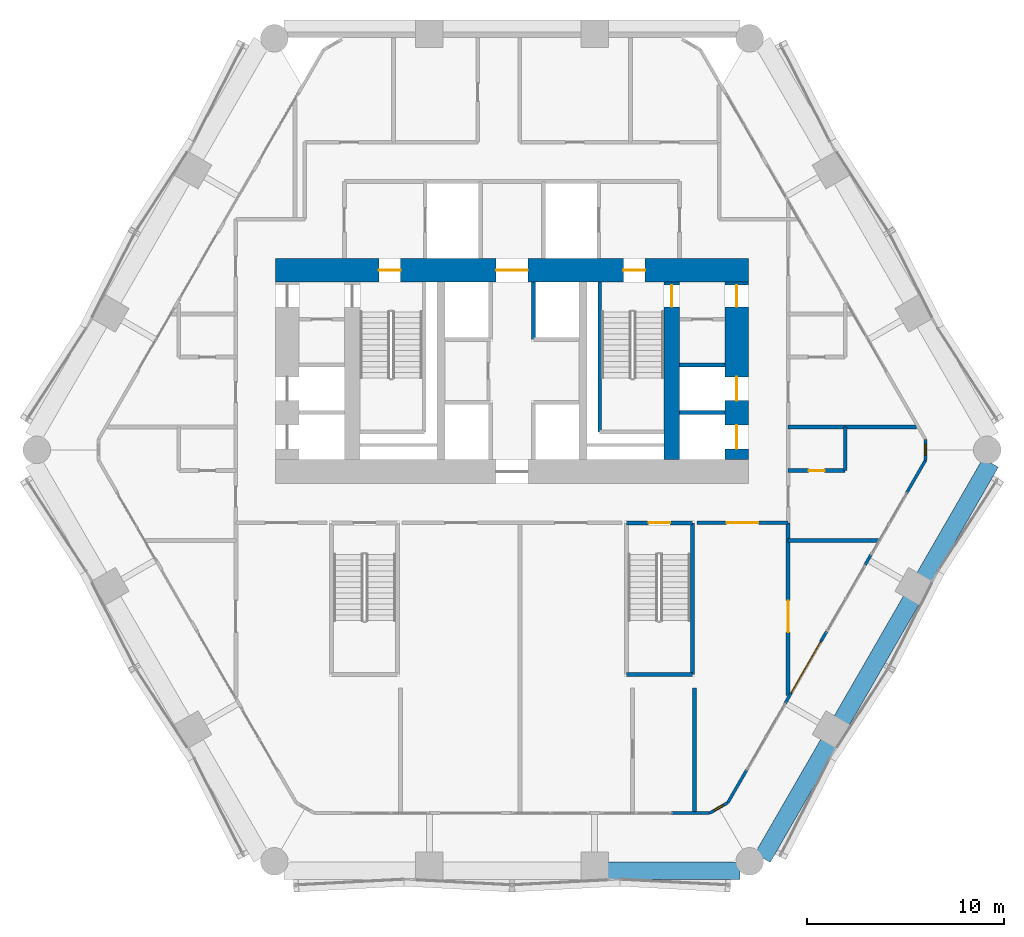
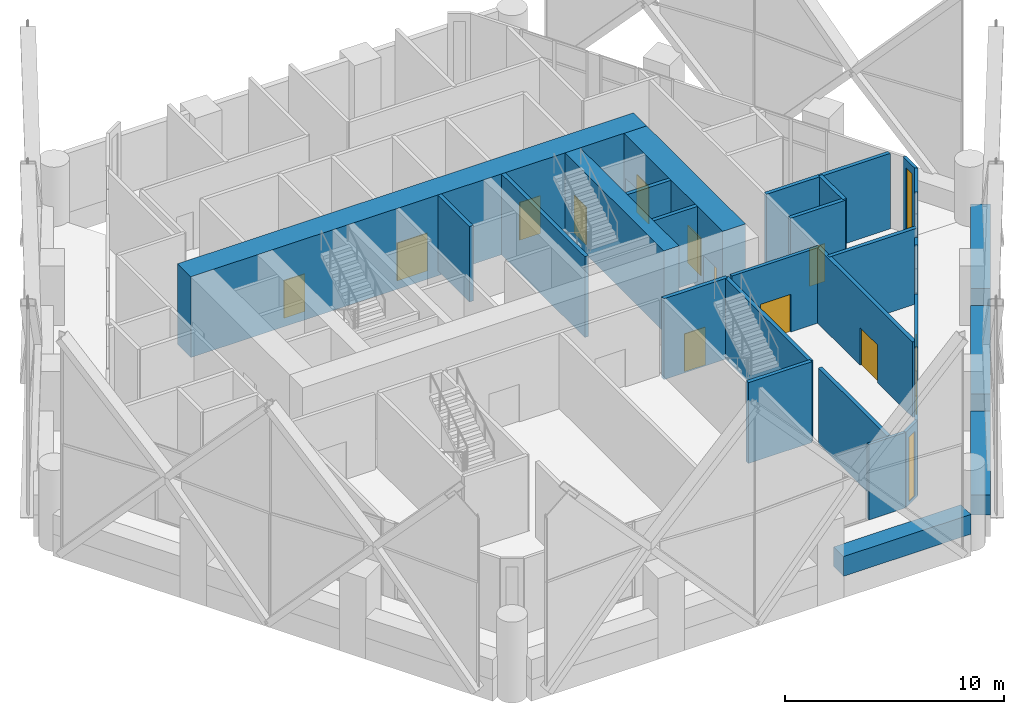
# One storey, part 38 of 46: 28 walls, 12 doors, 2 windows, 14 openings.
"""IFC4 building model written with IfcOpenShell, lengths in metres."""

import ifcopenshell
import ifcopenshell.guid

model = None  # the IFC model being written
_history = None  # IfcOwnerHistory: only IFC2X3 demands one
_inside = {}  # id of a spatial element -> (the spatial element, [elements in it])
_under = {}  # id of a project, library or spatial element -> (it, [spatial elements below it])
_declared = {}  # id of a project -> (the project, [libraries it declares])
_typed = {}  # id of a type object -> (the type object, [elements of that type])
_made_of = {}  # id of a material, layer set ... -> (it, [elements and type objects made of it])


def new_model(schema):
    """Start an empty IFC model of exactly this schema.

    Asked for "IFC4X3", IfcOpenShell would pick the latest addendum, in which some entities
    have other attributes; the version numbers below select the first issue.
    IFC2X3 requires an IfcOwnerHistory on every rooted entity: one is made here for all.
    """
    global model, _history
    if schema == "IFC4X3":
        model = ifcopenshell.file(schema_version=(4, 3, 0, 0))
    else:
        model = ifcopenshell.file(schema=schema)
    _inside.clear()
    _under.clear()
    _declared.clear()
    _typed.clear()
    _made_of.clear()
    _history = None
    if model.schema == "IFC2X3":
        org = make("IfcOrganization", Name="unknown")
        user = make(
            "IfcPersonAndOrganization",
            ThePerson=make("IfcPerson", FamilyName="unknown"),
            TheOrganization=org,
        )
        app = make(
            "IfcApplication",
            ApplicationDeveloper=org,
            Version="unknown",
            ApplicationFullName="unknown",
            ApplicationIdentifier="unknown",
        )
        _history = make(
            "IfcOwnerHistory",
            OwningUser=user,
            OwningApplication=app,
            ChangeAction="ADDED",
            CreationDate=0,
        )
    return model


def make(cls, **values):
    """One entity of the class cls with the attributes given. An attribute that is None is left unset."""
    return model.create_entity(
        cls, **{name: value for name, value in values.items() if value is not None}
    )


def rooted(cls, **values):
    """An entity with a GlobalId (a new one), such as an element, a storey or a relation."""
    return make(cls, GlobalId=ifcopenshell.guid.new(), OwnerHistory=_history, **values)


def si_unit(unit_type, name, prefix=None):
    """IfcSIUnit, for example si_unit("LENGTHUNIT", "METRE", prefix="MILLI")."""
    return make("IfcSIUnit", UnitType=unit_type, Prefix=prefix, Name=name)


def assignment(units):
    """IfcUnitAssignment: the units of a project."""
    return None if units is None else make("IfcUnitAssignment", Units=units)


def point(xyz):
    """IfcCartesianPoint."""
    return None if xyz is None else make("IfcCartesianPoint", Coordinates=xyz)


def direction(xyz):
    """IfcDirection."""
    return None if xyz is None else make("IfcDirection", DirectionRatios=xyz)


def frame(location, z_axis=None, x_axis=None):
    """IfcAxis2Placement3D, a coordinate frame: its origin and axes. An axis left out is left unset."""
    return make(
        "IfcAxis2Placement3D",
        Location=point(location),
        Axis=direction(z_axis),
        RefDirection=direction(x_axis),
    )


def frame_2d(location, x_axis=None):
    """IfcAxis2Placement2D, a coordinate frame in the plane: its origin and x axis."""
    return make(
        "IfcAxis2Placement2D", Location=point(location), RefDirection=direction(x_axis)
    )


def origin():
    """The frame at (0, 0, 0) with its axes left unset."""
    return frame((0.0, 0.0, 0.0))


def place(relative_to, where):
    """IfcLocalPlacement: puts the frame where relative to a parent placement (None: the world)."""
    return make(
        "IfcLocalPlacement", PlacementRelTo=relative_to, RelativePlacement=where
    )


def context(
    kind, dimensions, precision=None, world=None, true_north=None, identifier=None
):
    """IfcGeometricRepresentationContext, for example the 3D "Model" context."""
    return make(
        "IfcGeometricRepresentationContext",
        ContextIdentifier=identifier,
        ContextType=kind,
        CoordinateSpaceDimension=dimensions,
        Precision=precision,
        WorldCoordinateSystem=world,
        TrueNorth=true_north,
    )


def subcontext(parent, identifier, kind, view, scale=None):
    """IfcGeometricRepresentationSubContext, for example "Body" below "Model"."""
    return make(
        "IfcGeometricRepresentationSubContext",
        ContextIdentifier=identifier,
        ContextType=kind,
        ParentContext=parent,
        TargetScale=scale,
        TargetView=view,
    )


def project(units=None, contexts=None):
    """IfcProject with its units and contexts."""
    return rooted(
        "IfcProject",
        Name="project",
        RepresentationContexts=contexts,
        UnitsInContext=assignment(units),
    )


def spatial(cls, under=None, at=None, **own):
    """A site, building, storey or space (cls), placed at a placement, below another one or the project."""
    s = rooted(cls, ObjectPlacement=at, **own)
    if under is not None:
        _under.setdefault(under.id(), (under, []))[1].append(s)
    return s


def profile(cls, at=None, kind="AREA", **sizes):
    """A parametric profile (cls). Its sizes go by their IFC names, for example OverallWidth=200.0."""
    return make(cls, ProfileType=kind, Position=at, **sizes)


def rectangle(**sizes):
    """IfcRectangleProfileDef."""
    return profile("IfcRectangleProfileDef", **sizes)


def extrude(swept, where, along, depth):
    """IfcExtrudedAreaSolid: the profile swept, set in the frame where, extruded along a direction by depth."""
    return make(
        "IfcExtrudedAreaSolid",
        SweptArea=swept,
        Position=where,
        ExtrudedDirection=direction(along),
        Depth=depth,
    )


def shape(context_of_items, identifier, shape_type, items):
    """IfcShapeRepresentation: the items that make up one representation, for example the "Body"."""
    return make(
        "IfcShapeRepresentation",
        ContextOfItems=context_of_items,
        RepresentationIdentifier=identifier,
        RepresentationType=shape_type,
        Items=items,
    )


def material(Name=None, Category=None):
    """IfcMaterial."""
    return make("IfcMaterial", Name=Name, Category=Category)


def layer(
    of_material, thickness, ventilated=None, Name=None, Category=None, Priority=None
):
    """IfcMaterialLayer: one layer of a wall or slab, of a material (None: an air gap)."""
    return make(
        "IfcMaterialLayer",
        Material=of_material,
        LayerThickness=thickness,
        IsVentilated=ventilated,
        Name=Name,
        Category=Category,
        Priority=Priority,
    )


def layer_set(layers, Name=None):
    """IfcMaterialLayerSet."""
    return make("IfcMaterialLayerSet", MaterialLayers=layers, LayerSetName=Name)


def made_of(thing, what):
    """Note that an element or type object is made of a material, layer set ...; save() writes the relation."""
    if what is not None:
        _made_of.setdefault(what.id(), (what, []))[1].append(thing)
    return thing


def type_object(cls, material=None, **own):
    """A type object (cls), such as IfcWallType, which elements share."""
    return made_of(rooted(cls, **own), material)


def element(
    cls,
    number,
    at=None,
    inside=None,
    cuts=None,
    type_object=None,
    material=None,
    context=None,
    identifier="Body",
    shape_type=None,
    held_by="IfcProductDefinitionShape",
    body=None,
    shapes=None,
    **own,
):
    """One element of the class cls, such as IfcWall. Its Tag is "e" and its number.

    at: its placement. inside: the storey or other place that contains it. cuts: it is an
    opening in that element (IfcRelVoidsElement). A single representation is given by context,
    identifier, shape_type and body (its items); several are given by shapes. held_by: the class
    of the entity that holds the representations. save() writes the other relations.
    """
    e = rooted(cls, Tag="e%d" % number, ObjectPlacement=at, **own)
    if body is not None:
        shapes = [shape(context, identifier, shape_type, body)]
    if shapes is not None:
        e.Representation = make(held_by, Representations=shapes)
    if inside is not None:
        _inside.setdefault(inside.id(), (inside, []))[1].append(e)
    if cuts is not None:
        rooted(
            "IfcRelVoidsElement", RelatingBuildingElement=cuts, RelatedOpeningElement=e
        )
    if type_object is not None:
        _typed.setdefault(type_object.id(), (type_object, []))[1].append(e)
    return made_of(e, material)


def fill(opening, filler):
    """IfcRelFillsElement: the door or window that sits in an opening."""
    return rooted(
        "IfcRelFillsElement",
        RelatingOpeningElement=opening,
        RelatedBuildingElement=filler,
    )


def aggregate(whole, parts):
    """IfcRelAggregates: a whole, such as a stair, and the parts it consists of."""
    return rooted("IfcRelAggregates", RelatingObject=whole, RelatedObjects=parts)


def save(model, path):
    """Write the relations noted so far, then the file.

    IfcRelAggregates (storeys below a building ...), IfcRelContainedInSpatialStructure (elements
    in a storey), IfcRelDefinesByType, IfcRelAssociatesMaterial and IfcRelDeclares: one each for
    every whole, place, type object, material and project.
    """
    for whole, parts in _under.values():
        aggregate(whole, parts)
    for where, things in _inside.values():
        rooted(
            "IfcRelContainedInSpatialStructure",
            RelatedElements=things,
            RelatingStructure=where,
        )
    for kind, things in _typed.values():
        rooted("IfcRelDefinesByType", RelatedObjects=things, RelatingType=kind)
    for what, things in _made_of.values():
        rooted("IfcRelAssociatesMaterial", RelatedObjects=things, RelatingMaterial=what)
    for by, libraries in _declared.values():
        rooted("IfcRelDeclares", RelatingContext=by, RelatedDefinitions=libraries)
    model.write(path)


model = new_model("IFC4")

# Units and contexts
model_context = context("Model", 3, precision=1e-05, world=origin(), true_north=direction((0.0, 1.0)))
body_context = subcontext(model_context, "Body", "Model", "MODEL_VIEW")
ifc_project = project(units=[si_unit("LENGTHUNIT", "METRE"), si_unit("AREAUNIT", "SQUARE_METRE"), si_unit("VOLUMEUNIT", "CUBIC_METRE"), si_unit("PLANEANGLEUNIT", "RADIAN"), si_unit("MASSUNIT", "GRAM", prefix="KILO")], contexts=[model_context])

# Site, building, storey
site_placement = place(None, origin())
site = spatial("IfcSite", under=ifc_project, at=site_placement, CompositionType="ELEMENT")
building_placement = place(site_placement, origin())
building = spatial("IfcBuilding", under=site, at=building_placement, Name="Ostrander Bayou Hotel Tower", CompositionType="ELEMENT")
storey_placement = place(building_placement, frame((0.0, 0.0, 23.5)))
storey = spatial("IfcBuildingStorey", under=building, at=storey_placement, Name="L05", CompositionType="ELEMENT", Elevation=23.5)

# Wall, openings, doors
ifc_material_1 = material(Name="Concrete f'c 70 MPa", Category="concrete")
ifc_layer_1 = layer(ifc_material_1, 1.199951171875)
ifc_layer_set_1 = layer_set([ifc_layer_1], Name="CW1 core wall 1200 mm f'c 70 MPa")
wall_type_1 = type_object("IfcWallType", Name="CW1 core wall 1200 mm f'c 70 MPa", PredefinedType="SHEAR", material=ifc_layer_set_1)
wall_1_placement = place(storey_placement, frame((-12.0, 9.10009765625, -0.300048828125), z_axis=(0.0, 0.0, 1.0), x_axis=(1.0, 0.0, 0.0)))
wall_1 = element("IfcWall", 1, at=wall_1_placement, inside=storey, type_object=wall_type_1, Name="CW1 L05 N", PredefinedType="SHEAR", context=body_context, shape_type="SweptSolid", body=[
    extrude(rectangle(XDim=24.0, YDim=1.199951171875, at=frame_2d((12.0, 0.0))), origin(), (0.0, 0.0, 1.0), 4.5),
])
opening_1_placement = place(wall_1_placement, frame((11.199951171875, 0.0, 0.0)))
opening_1 = element("IfcOpeningElement", 2, at=opening_1_placement, cuts=wall_1, Name="Opening T05-002", PredefinedType="OPENING", context=body_context, shape_type="SweptSolid", body=[
    extrude(rectangle(XDim=1.60009765625, YDim=2.10009765625, at=frame_2d((0.800048828125, 1.050048828125))), frame((0.0, 0.60009765625, 0.0), z_axis=(0.0, -1.0, 0.0), x_axis=(1.0, 0.0, 0.0)), (0.0, 0.0, 1.0), 1.199951171875),
])
opening_2_placement = place(wall_1_placement, frame((5.25, 0.0, 0.0)))
opening_2 = element("IfcOpeningElement", 3, at=opening_2_placement, cuts=wall_1, Name="Opening T05-003", PredefinedType="OPENING", context=body_context, shape_type="SweptSolid", body=[
    extrude(rectangle(XDim=1.10009765625, YDim=2.10009765625, at=frame_2d((0.550048828125, 1.050048828125))), frame((0.0, 0.60009765625, 0.0), z_axis=(0.0, -1.0, 0.0), x_axis=(1.0, 0.0, 0.0)), (0.0, 0.0, 1.0), 1.199951171875),
])
opening_3_placement = place(wall_1_placement, frame((17.64990234375, 0.0, 0.0)))
opening_3 = element("IfcOpeningElement", 4, at=opening_3_placement, cuts=wall_1, Name="Opening T05-005", PredefinedType="OPENING", context=body_context, shape_type="SweptSolid", body=[
    extrude(rectangle(XDim=1.10009765625, YDim=2.10009765625, at=frame_2d((0.550048828125, 1.050048828125))), frame((0.0, 0.60009765625, 0.0), z_axis=(0.0, -1.0, 0.0), x_axis=(1.0, 0.0, 0.0)), (0.0, 0.0, 1.0), 1.199951171875),
])
ifc_material_2 = material(Name="Timber door leaf", Category="wood")
door_type_1 = type_object("IfcDoorType", Name="D13 double door 1600 x 2100 mm, 1 hour", OperationType="SINGLE_SWING_LEFT", PredefinedType="DOOR", material=ifc_material_2)
door_1_placement = place(opening_1_placement, origin())
door_1 = element("IfcDoor", 5, at=door_1_placement, inside=storey, type_object=door_type_1, Name="dr:L05:002", OperationType="DOUBLE_DOOR_SINGLE_SWING", OverallHeight=2.10009765625, OverallWidth=1.60009765625, PredefinedType="DOOR", context=body_context, shape_type="SweptSolid", body=[
    extrude(rectangle(XDim=1.60009765625, YDim=2.10009765625, at=frame_2d((0.800048828125, 1.050048828125))), frame((0.0, 0.02490234375, 0.0), z_axis=(0.0, -1.0, 0.0), x_axis=(1.0, 0.0, 0.0)), (0.0, 0.0, 1.0), 0.050048828125),
])
fill(opening_1, door_1)
ifc_material_3 = material(Name="Timber door leaf", Category="wood")
door_type_2 = type_object("IfcDoorType", Name="D5 stair door 1100 x 2100 mm, 90 minute", OperationType="SINGLE_SWING_LEFT", PredefinedType="DOOR", material=ifc_material_3)
door_2_placement = place(opening_2_placement, origin())
door_2 = element("IfcDoor", 6, at=door_2_placement, inside=storey, type_object=door_type_2, Name="dr:L05:003", OperationType="SINGLE_SWING_LEFT", OverallHeight=2.10009765625, OverallWidth=1.10009765625, PredefinedType="DOOR", context=body_context, shape_type="SweptSolid", body=[
    extrude(rectangle(XDim=1.10009765625, YDim=2.10009765625, at=frame_2d((0.550048828125, 1.050048828125))), frame((0.0, 0.02490234375, 0.0), z_axis=(0.0, -1.0, 0.0), x_axis=(1.0, 0.0, 0.0)), (0.0, 0.0, 1.0), 0.050048828125),
])
fill(opening_2, door_2)
door_3_placement = place(opening_3_placement, origin())
door_3 = element("IfcDoor", 7, at=door_3_placement, inside=storey, type_object=door_type_2, Name="dr:L05:005", OperationType="SINGLE_SWING_RIGHT", OverallHeight=2.10009765625, OverallWidth=1.10009765625, PredefinedType="DOOR", context=body_context, shape_type="SweptSolid", body=[
    extrude(rectangle(XDim=1.10009765625, YDim=2.10009765625, at=frame_2d((0.550048828125, 1.050048828125))), frame((0.0, 0.02490234375, 0.0), z_axis=(0.0, -1.0, 0.0), x_axis=(1.0, 0.0, 0.0)), (0.0, 0.0, 1.0), 0.050048828125),
])
fill(opening_3, door_3)

wall_2_placement = place(storey_placement, frame((11.39990234375, -0.5, -0.300048828125), z_axis=(0.0, 0.0, 1.0), x_axis=(0.0, 1.0, 0.0)))
wall_2 = element("IfcWall", 8, at=wall_2_placement, inside=storey, type_object=wall_type_1, Name="CW1 L05 RE", PredefinedType="SHEAR", context=body_context, shape_type="SweptSolid", body=[
    extrude(rectangle(XDim=9.0, YDim=1.199951171875, at=frame_2d((4.5, 0.0))), origin(), (0.0, 0.0, 1.0), 4.5),
])
opening_4_placement = place(wall_2_placement, frame((7.75, 0.0, 0.0)))
opening_4 = element("IfcOpeningElement", 9, at=opening_4_placement, cuts=wall_2, Name="Opening T05-019", PredefinedType="OPENING", context=body_context, shape_type="SweptSolid", body=[
    extrude(rectangle(XDim=1.10009765625, YDim=2.10009765625, at=frame_2d((0.550048828125, 1.050048828125))), frame((0.0, 0.60009765625, 0.0), z_axis=(0.0, -1.0, 0.0), x_axis=(1.0, 0.0, 0.0)), (0.0, 0.0, 1.0), 1.199951171875),
])
opening_5_placement = place(wall_2_placement, frame((0.550048828125, 0.0, 0.0)))
opening_5 = element("IfcOpeningElement", 10, at=opening_5_placement, cuts=wall_2, Name="Opening T05-020", PredefinedType="OPENING", context=body_context, shape_type="SweptSolid", body=[
    extrude(rectangle(XDim=1.199951171875, YDim=2.10009765625, at=frame_2d((0.60009765625, 1.050048828125))), frame((0.0, 0.60009765625, 0.0), z_axis=(0.0, -1.0, 0.0), x_axis=(1.0, 0.0, 0.0)), (0.0, 0.0, 1.0), 1.199951171875),
])
opening_6_placement = place(wall_2_placement, frame((3.0, 0.0, 0.0)))
opening_6 = element("IfcOpeningElement", 11, at=opening_6_placement, cuts=wall_2, Name="Opening T05-021", PredefinedType="OPENING", context=body_context, shape_type="SweptSolid", body=[
    extrude(rectangle(XDim=1.199951171875, YDim=2.10009765625, at=frame_2d((0.60009765625, 1.050048828125))), frame((0.0, 0.60009765625, 0.0), z_axis=(0.0, -1.0, 0.0), x_axis=(1.0, 0.0, 0.0)), (0.0, 0.0, 1.0), 1.199951171875),
])
door_4_placement = place(opening_4_placement, origin())
door_4 = element("IfcDoor", 12, at=door_4_placement, inside=storey, type_object=door_type_2, Name="dr:L05:019", OperationType="SINGLE_SWING_RIGHT", OverallHeight=2.10009765625, OverallWidth=1.10009765625, PredefinedType="DOOR", context=body_context, shape_type="SweptSolid", body=[
    extrude(rectangle(XDim=1.10009765625, YDim=2.10009765625, at=frame_2d((0.550048828125, 1.050048828125))), frame((0.0, 0.02490234375, 0.0), z_axis=(0.0, -1.0, 0.0), x_axis=(1.0, 0.0, 0.0)), (0.0, 0.0, 1.0), 0.050048828125),
])
fill(opening_4, door_4)
ifc_material_4 = material(Name="Stainless steel sliding door", Category="steel")
door_type_3 = type_object("IfcDoorType", Name="LD1 lift landing door 1200 x 2100 mm", OperationType="SINGLE_SWING_LEFT", PredefinedType="DOOR", material=ifc_material_4)
door_5_placement = place(opening_5_placement, origin())
door_5 = element("IfcDoor", 13, at=door_5_placement, inside=storey, type_object=door_type_3, Name="dr:L05:020", OperationType="SLIDING_TO_LEFT", OverallHeight=2.10009765625, OverallWidth=1.199951171875, PredefinedType="DOOR", context=body_context, shape_type="SweptSolid", body=[
    extrude(rectangle(XDim=1.199951171875, YDim=2.10009765625, at=frame_2d((0.60009765625, 1.050048828125))), frame((0.0, 0.02490234375, 0.0), z_axis=(0.0, -1.0, 0.0), x_axis=(1.0, 0.0, 0.0)), (0.0, 0.0, 1.0), 0.050048828125),
])
fill(opening_5, door_5)
door_6_placement = place(opening_6_placement, origin())
door_6 = element("IfcDoor", 14, at=door_6_placement, inside=storey, type_object=door_type_3, Name="dr:L05:021", OperationType="SLIDING_TO_LEFT", OverallHeight=2.10009765625, OverallWidth=1.199951171875, PredefinedType="DOOR", context=body_context, shape_type="SweptSolid", body=[
    extrude(rectangle(XDim=1.199951171875, YDim=2.10009765625, at=frame_2d((0.60009765625, 1.050048828125))), frame((0.0, 0.02490234375, 0.0), z_axis=(0.0, -1.0, 0.0), x_axis=(1.0, 0.0, 0.0)), (0.0, 0.0, 1.0), 0.050048828125),
])
fill(opening_6, door_6)

# Wall, opening, door
ifc_material_5 = material(Name="Concrete f'c 70 MPa", Category="concrete")
ifc_layer_2 = layer(ifc_material_5, 0.800048828125)
ifc_layer_set_2 = layer_set([ifc_layer_2], Name="CW2 core spine wall 800 mm f'c 70 MPa")
wall_type_2 = type_object("IfcWallType", Name="CW2 core spine wall 800 mm f'c 70 MPa", PredefinedType="SHEAR", material=ifc_layer_set_2)
wall_3_placement = place(storey_placement, frame((8.10009765625, -0.5, -0.300048828125), z_axis=(0.0, 0.0, 1.0), x_axis=(0.0, 1.0, 0.0)))
wall_3 = element("IfcWall", 15, at=wall_3_placement, inside=storey, type_object=wall_type_2, Name="CW2 L05 E", PredefinedType="SHEAR", context=body_context, shape_type="SweptSolid", body=[
    extrude(rectangle(XDim=9.0, YDim=0.800048828125, at=frame_2d((4.5, 0.0))), origin(), (0.0, 0.0, 1.0), 4.5),
])
opening_7_placement = place(wall_3_placement, frame((7.75, 0.0, 0.0)))
opening_7 = element("IfcOpeningElement", 16, at=opening_7_placement, cuts=wall_3, Name="Opening T05-006", PredefinedType="OPENING", context=body_context, shape_type="SweptSolid", body=[
    extrude(rectangle(XDim=1.10009765625, YDim=2.10009765625, at=frame_2d((0.550048828125, 1.050048828125))), frame((0.0, 0.39990234375, 0.0), z_axis=(0.0, -1.0, 0.0), x_axis=(1.0, 0.0, 0.0)), (0.0, 0.0, 1.0), 0.800048828125),
])
door_7_placement = place(opening_7_placement, origin())
door_7 = element("IfcDoor", 17, at=door_7_placement, inside=storey, type_object=door_type_2, Name="dr:L05:006", OperationType="SINGLE_SWING_LEFT", OverallHeight=2.10009765625, OverallWidth=1.10009765625, PredefinedType="DOOR", context=body_context, shape_type="SweptSolid", body=[
    extrude(rectangle(XDim=1.10009765625, YDim=2.10009765625, at=frame_2d((0.550048828125, 1.050048828125))), frame((0.0, 0.02490234375, 0.0), z_axis=(0.0, -1.0, 0.0), x_axis=(1.0, 0.0, 0.0)), (0.0, 0.0, 1.0), 0.050048828125),
])
fill(opening_7, door_7)

# Wall
ifc_material_6 = material(Name="Aluminium framed insulated wall", Category="aluminium")
ifc_layer_3 = layer(ifc_material_6, 0.14990234375)
ifc_layer_set_3 = layer_set([ifc_layer_3], Name="GW1 glass-line wall 150 mm")
wall_type_3 = type_object("IfcWallType", Name="GW1 glass-line wall 150 mm", PredefinedType="SOLIDWALL", material=ifc_layer_set_3)
wall_4_placement = place(storey_placement, frame((8.10009765625, -18.425048828125, 0.0), z_axis=(0.0, 0.0, 1.0), x_axis=(1.0, 0.0, 0.0)))
element("IfcWall", 18, at=wall_4_placement, inside=storey, type_object=wall_type_3, Name="GW1 L05 S end 2", PredefinedType="SOLIDWALL", context=body_context, shape_type="SweptSolid", body=[
    extrude(rectangle(XDim=1.922607421875, YDim=0.14990234375, at=frame_2d((0.96142578125, 0.0))), origin(), (0.0, 0.0, 1.0), 4.199951171875),
])

# Wall, opening, door
wall_5_placement = place(storey_placement, frame((13.8564453125, -12.849853515625, 0.0), z_axis=(0.0, 0.0, 1.0), x_axis=(0.500002543286, 0.866023935413, 0.0)))
wall_5 = element("IfcWall", 19, at=wall_5_placement, inside=storey, type_object=wall_type_3, Name="GW1 L05 SE 2", PredefinedType="SOLIDWALL", context=body_context, shape_type="SweptSolid", body=[
    extrude(rectangle(XDim=4.2001953125, YDim=0.14990234375, at=frame_2d((2.10009765625, 0.0))), origin(), (0.0, 0.0, 1.0), 4.199951171875),
])
opening_8_placement = place(wall_5_placement, frame((0.60009765625, 0.0, 0.0)))
opening_8 = element("IfcOpeningElement", 20, at=opening_8_placement, cuts=wall_5, Name="Opening T05-803", PredefinedType="OPENING", context=body_context, shape_type="SweptSolid", body=[
    extrude(rectangle(XDim=3.0, YDim=2.39990234375, at=frame_2d((1.5, 1.199951171875))), frame((0.0, 0.074951171875, 0.0), z_axis=(0.0, -1.0, 0.0), x_axis=(1.0, 0.0, 0.0)), (0.0, 0.0, 1.0), 0.14990234375),
])
ifc_material_7 = material(Name="Aluminium and clear glass", Category="aluminium")
door_type_4 = type_object("IfcDoorType", Name="SD5 sliding glass door 3000 mm", OperationType="SLIDING_TO_LEFT", PredefinedType="DOOR", material=ifc_material_7)
door_8_placement = place(opening_8_placement, origin())
door_8 = element("IfcDoor", 21, at=door_8_placement, inside=storey, type_object=door_type_4, Name="SD5 L05 SE 2", OperationType="SLIDING_TO_RIGHT", OverallHeight=2.39990234375, OverallWidth=3.0, PredefinedType="DOOR", context=body_context, shape_type="SweptSolid", body=[
    extrude(rectangle(XDim=3.0, YDim=2.39990234375, at=frame_2d((1.5, 1.199951171875))), frame((0.0, 0.02490234375, 0.0), z_axis=(0.0, -1.0, 0.0), x_axis=(1.0, 0.0, 0.0)), (0.0, 0.0, 1.0), 0.050048828125),
])
fill(opening_8, door_8)

# Walls
for number, where, z_axis, x_axis, name in (
    (22, (10.945068359375, -17.892578125, 0.0), (0.0, 0.0, 1.0), (0.499989888488, 0.86603124159, 0.0), "GW1 L05 SE end 1"),
    (23, (20.006591796875, -2.19775390625, 0.0), (0.0, 0.0, 1.0), (0.499989888488, 0.86603124159, 0.0), "GW1 L05 SE end 2"),
):
    element("IfcWall", number, at=place(storey_placement, frame(where, z_axis=z_axis, x_axis=x_axis)), inside=storey, type_object=wall_type_3, Name=name, PredefinedType="SOLIDWALL", context=body_context, shape_type="SweptSolid", body=[
        extrude(rectangle(XDim=1.9228515625, YDim=0.14990234375, at=frame_2d((0.96142578125, 0.0))), origin(), (0.0, 0.0, 1.0), 4.199951171875),
    ])
wall_6_placement = place(storey_placement, frame((17.906494140625, -5.8349609375, 0.0), z_axis=(0.0, 0.0, 1.0), x_axis=(0.50012165622, 0.865955154139, 0.0)))
element("IfcWall", 24, at=wall_6_placement, inside=storey, type_object=wall_type_3, Name="GW1 L05 SE pier 4", PredefinedType="SOLIDWALL", context=body_context, shape_type="SweptSolid", body=[
    extrude(rectangle(XDim=0.599853515625, YDim=0.14990234375, at=frame_2d((0.2998046875, 0.0))), origin(), (0.0, 0.0, 1.0), 4.199951171875),
])

# Wall, opening, window
wall_7_placement = place(storey_placement, frame((10.022705078125, -18.425048828125, 0.0), z_axis=(0.0, 0.0, 1.0), x_axis=(0.866048165231, 0.499960573946, 0.0)))
wall_7 = element("IfcWall", 25, at=wall_7_placement, inside=storey, type_object=wall_type_3, Name="GW1 L05 corner 4", PredefinedType="SOLIDWALL", context=body_context, shape_type="SweptSolid", body=[
    extrude(rectangle(XDim=1.06494140625, YDim=0.14990234375, at=frame_2d((0.532470703125, 0.0))), origin(), (0.0, 0.0, 1.0), 4.199951171875),
])
opening_9_placement = place(wall_7_placement, frame((0.257568359375, 0.0, 0.14990234375)))
opening_9 = element("IfcOpeningElement", 26, at=opening_9_placement, cuts=wall_7, Name="Opening W19", PredefinedType="OPENING", context=body_context, shape_type="SweptSolid", body=[
    extrude(rectangle(XDim=0.550048828125, YDim=3.60009765625, at=frame_2d((0.27490234375, 1.800048828125))), frame((0.0, 0.074951171875, 0.0), z_axis=(0.0, -1.0, 0.0), x_axis=(1.0, 0.0, 0.0)), (0.0, 0.0, 1.0), 0.14990234375),
])
ifc_material_8 = material(Name="Aluminium and clear glass", Category="aluminium")
window_type = type_object("IfcWindowType", Name="W19 corner window 550 mm", PartitioningType="SINGLE_PANEL", PredefinedType="WINDOW", material=ifc_material_8)
window_1_placement = place(opening_9_placement, origin())
window_1 = element("IfcWindow", 27, at=window_1_placement, inside=storey, type_object=window_type, Name="W19 L05 corner 4", OverallHeight=3.60009765625, OverallWidth=0.550048828125, PartitioningType="SINGLE_PANEL", PredefinedType="WINDOW", context=body_context, shape_type="SweptSolid", body=[
    extrude(rectangle(XDim=0.550048828125, YDim=3.60009765625, at=frame_2d((0.27490234375, 1.800048828125))), frame((0.0, 0.030029296875, 0.0), z_axis=(0.0, -1.0, 0.0), x_axis=(1.0, 0.0, 0.0)), (0.0, 0.0, 1.0), 0.06005859375),
])
fill(opening_9, window_1)

wall_8_placement = place(storey_placement, frame((20.968017578125, -0.532470703125, 0.0), z_axis=(0.0, 0.0, 1.0), x_axis=(0.0, 1.0, 0.0)))
wall_8 = element("IfcWall", 28, at=wall_8_placement, inside=storey, type_object=wall_type_3, Name="GW1 L05 corner 5", PredefinedType="SOLIDWALL", context=body_context, shape_type="SweptSolid", body=[
    extrude(rectangle(XDim=1.06494140625, YDim=0.14990234375, at=frame_2d((0.532470703125, 0.0))), origin(), (0.0, 0.0, 1.0), 4.199951171875),
])
opening_10_placement = place(wall_8_placement, frame((0.257568359375, 0.0, 0.14990234375)))
opening_10 = element("IfcOpeningElement", 29, at=opening_10_placement, cuts=wall_8, Name="Opening W19", PredefinedType="OPENING", context=body_context, shape_type="SweptSolid", body=[
    extrude(rectangle(XDim=0.550048828125, YDim=3.60009765625, at=frame_2d((0.27490234375, 1.800048828125))), frame((0.0, 0.074951171875, 0.0), z_axis=(0.0, -1.0, 0.0), x_axis=(1.0, 0.0, 0.0)), (0.0, 0.0, 1.0), 0.14990234375),
])
window_2_placement = place(opening_10_placement, origin())
window_2 = element("IfcWindow", 30, at=window_2_placement, inside=storey, type_object=window_type, Name="W19 L05 corner 5", OverallHeight=3.60009765625, OverallWidth=0.550048828125, PartitioningType="SINGLE_PANEL", PredefinedType="WINDOW", context=body_context, shape_type="SweptSolid", body=[
    extrude(rectangle(XDim=0.550048828125, YDim=3.60009765625, at=frame_2d((0.27490234375, 1.800048828125))), frame((0.0, 0.030029296875, 0.0), z_axis=(0.0, -1.0, 0.0), x_axis=(1.0, 0.0, 0.0)), (0.0, 0.0, 1.0), 0.06005859375),
])
fill(opening_10, window_2)

# Walls
ifc_material_9 = material(Name="Concrete f'c 40 MPa", Category="concrete")
ifc_layer_4 = layer(ifc_material_9, 0.89990234375)
ifc_layer_set_4 = layer_set([ifc_layer_4], Name="PA1 stone-faced parapet 900 mm")
wall_type_4 = type_object("IfcWallType", Name="PA1 stone-faced parapet 900 mm", PredefinedType="PARAPET", material=ifc_layer_set_4)
wall_9_placement = place(storey_placement, frame((4.865478515625, -21.35009765625, 0.0), z_axis=(0.0, 0.0, 1.0), x_axis=(1.0, 0.0, 0.0)))
element("IfcWall", 31, at=wall_9_placement, inside=storey, type_object=wall_type_4, Name="PA1 L05 S-3", PredefinedType="PARAPET", context=body_context, shape_type="SweptSolid", body=[
    extrude(rectangle(XDim=6.70361328125, YDim=0.89990234375, at=frame_2d((3.351806640625, 0.0))), origin(), (0.0, 0.0, 1.0), 1.10009765625),
])
ifc_material_10 = material(Name="Limestone masonry", Category="masonry")
ifc_layer_5 = layer(ifc_material_10, 0.89990234375)
ifc_layer_set_5 = layer_set([ifc_layer_5], Name="PA2 limestone parapet 900 mm")
wall_type_5 = type_object("IfcWallType", Name="PA2 limestone parapet 900 mm", PredefinedType="PARAPET", material=ifc_layer_set_5)
wall_10_placement = place(storey_placement, frame((12.705078125, -20.694091796875, 0.0), z_axis=(0.0, 0.0, 1.0), x_axis=(0.500005133765, 0.866022439784, 0.0)))
element("IfcWall", 32, at=wall_10_placement, inside=storey, type_object=wall_type_5, Name="PA2 L05 SE-1", PredefinedType="PARAPET", context=body_context, shape_type="SweptSolid", body=[
    extrude(rectangle(XDim=6.70361328125, YDim=0.89990234375, at=frame_2d((3.351806640625, 0.0))), origin(), (0.0, 0.0, 1.0), 1.10009765625),
])
wall_11_placement = place(storey_placement, frame((16.726806640625, -13.72802734375, 0.0), z_axis=(0.0, 0.0, 1.0), x_axis=(0.499997206141, 0.866027016814, 0.0)))
element("IfcWall", 33, at=wall_11_placement, inside=storey, type_object=wall_type_5, Name="PA2 L05 SE-2", PredefinedType="PARAPET", context=body_context, shape_type="SweptSolid", body=[
    extrude(rectangle(XDim=7.05078125, YDim=0.89990234375, at=frame_2d((3.525390625, 0.0))), origin(), (0.0, 0.0, 1.0), 1.10009765625),
])
wall_12_placement = place(storey_placement, frame((20.92236328125, -6.46142578125, 0.0), z_axis=(0.0, 0.0, 1.0), x_axis=(0.500005133765, 0.866022439784, 0.0)))
element("IfcWall", 34, at=wall_12_placement, inside=storey, type_object=wall_type_5, Name="PA2 L05 SE-3", PredefinedType="PARAPET", context=body_context, shape_type="SweptSolid", body=[
    extrude(rectangle(XDim=6.70361328125, YDim=0.89990234375, at=frame_2d((3.351806640625, 0.0))), origin(), (0.0, 0.0, 1.0), 1.10009765625),
])
ifc_material_11 = material(Name="Gypsum board partition", Category="finish")
ifc_layer_6 = layer(ifc_material_11, 0.199951171875)
ifc_layer_set_6 = layer_set([ifc_layer_6], Name="PT3 demising wall 200 mm acoustic double stud, 1 hour")
wall_type_6 = type_object("IfcWallType", Name="PT3 demising wall 200 mm acoustic double stud, 1 hour", PredefinedType="PARTITIONING", material=ifc_layer_set_6)
wall_13_placement = place(storey_placement, frame((14.0, -4.60009765625, 0.0), z_axis=(0.0, 0.0, 1.0), x_axis=(1.0, 0.0, 0.0)))
element("IfcWall", 35, at=wall_13_placement, inside=storey, type_object=wall_type_6, Name="sw:L05:015", PredefinedType="PARTITIONING", context=body_context, shape_type="SweptSolid", body=[
    extrude(rectangle(XDim=4.598388671875, YDim=0.199951171875, at=frame_2d((2.29931640625, 0.0))), origin(), (0.0, 0.0, 1.0), 4.199951171875),
])

# Wall, opening, door
wall_14_placement = place(storey_placement, frame((14.0, -1.050048828125, 0.0), z_axis=(0.0, 0.0, 1.0), x_axis=(1.0, 0.0, 0.0)))
wall_14 = element("IfcWall", 36, at=wall_14_placement, inside=storey, type_object=wall_type_6, Name="sw:L05:017", PredefinedType="PARTITIONING", context=body_context, shape_type="SweptSolid", body=[
    extrude(rectangle(XDim=2.89990234375, YDim=0.199951171875, at=frame_2d((1.449951171875, 0.0))), origin(), (0.0, 0.0, 1.0), 4.199951171875),
])
opening_11_placement = place(wall_14_placement, frame((1.050048828125, 0.0, 0.0)))
opening_11 = element("IfcOpeningElement", 37, at=opening_11_placement, cuts=wall_14, Name="Opening T05-212", PredefinedType="OPENING", context=body_context, shape_type="SweptSolid", body=[
    extrude(rectangle(XDim=0.800048828125, YDim=2.10009765625, at=frame_2d((0.39990234375, 1.050048828125))), frame((0.0, 0.10009765625, 0.0), z_axis=(0.0, -1.0, 0.0), x_axis=(1.0, 0.0, 0.0)), (0.0, 0.0, 1.0), 0.199951171875),
])
ifc_material_12 = material(Name="Timber door leaf", Category="wood")
door_type_5 = type_object("IfcDoorType", Name="D2 bathroom door 800 x 2100 mm", OperationType="SINGLE_SWING_LEFT", PredefinedType="DOOR", material=ifc_material_12)
door_9_placement = place(opening_11_placement, origin())
door_9 = element("IfcDoor", 38, at=door_9_placement, inside=storey, type_object=door_type_5, Name="dr:L05:212", OperationType="SINGLE_SWING_RIGHT", OverallHeight=2.10009765625, OverallWidth=0.800048828125, PredefinedType="DOOR", context=body_context, shape_type="SweptSolid", body=[
    extrude(rectangle(XDim=0.800048828125, YDim=2.10009765625, at=frame_2d((0.39990234375, 1.050048828125))), frame((0.0, 0.02490234375, 0.0), z_axis=(0.0, -1.0, 0.0), x_axis=(1.0, 0.0, 0.0)), (0.0, 0.0, 1.0), 0.050048828125),
])
fill(opening_11, door_9)

# Walls
wall_15_placement = place(storey_placement, frame((14.0, 1.14990234375, 0.0), z_axis=(0.0, 0.0, 1.0), x_axis=(1.0, 0.0, 0.0)))
element("IfcWall", 39, at=wall_15_placement, inside=storey, type_object=wall_type_6, Name="sw:L05:019", PredefinedType="PARTITIONING", context=body_context, shape_type="SweptSolid", body=[
    extrude(rectangle(XDim=6.519775390625, YDim=0.199951171875, at=frame_2d((3.259765625, 0.0))), origin(), (0.0, 0.0, 1.0), 4.199951171875),
])
wall_16_placement = place(storey_placement, frame((9.25, -18.344970703125, 0.0), z_axis=(0.0, 0.0, 1.0), x_axis=(0.0, 1.0, 0.0)))
element("IfcWall", 40, at=wall_16_placement, inside=storey, type_object=wall_type_6, Name="sw:L05:033", PredefinedType="PARTITIONING", context=body_context, shape_type="SweptSolid", body=[
    extrude(rectangle(XDim=6.264892578125, YDim=0.199951171875, at=frame_2d((3.13232421875, 0.0))), origin(), (0.0, 0.0, 1.0), 4.199951171875),
])

# Wall, opening, door
wall_17_placement = place(storey_placement, frame((14.0, -12.4462890625, 0.0), z_axis=(0.0, 0.0, 1.0), x_axis=(0.0, 1.0, 0.0)))
wall_17 = element("IfcWall", 41, at=wall_17_placement, inside=storey, type_object=wall_type_6, Name="sw:L05:035", PredefinedType="PARTITIONING", context=body_context, shape_type="SweptSolid", body=[
    extrude(rectangle(XDim=8.746337890625, YDim=0.199951171875, at=frame_2d((4.373046875, 0.0))), origin(), (0.0, 0.0, 1.0), 4.199951171875),
])
opening_12_placement = place(wall_17_placement, frame((3.20068359375, 0.0, 0.0)))
opening_12 = element("IfcOpeningElement", 42, at=opening_12_placement, cuts=wall_17, Name="Opening T05-210", PredefinedType="OPENING", context=body_context, shape_type="SweptSolid", body=[
    extrude(rectangle(XDim=1.60009765625, YDim=2.10009765625, at=frame_2d((0.800048828125, 1.050048828125))), frame((0.0, 0.10009765625, 0.0), z_axis=(0.0, -1.0, 0.0), x_axis=(1.0, 0.0, 0.0)), (0.0, 0.0, 1.0), 0.199951171875),
])
door_10_placement = place(opening_12_placement, origin())
door_10 = element("IfcDoor", 43, at=door_10_placement, inside=storey, type_object=door_type_1, Name="dr:L05:210", OperationType="DOUBLE_DOOR_SINGLE_SWING", OverallHeight=2.10009765625, OverallWidth=1.60009765625, PredefinedType="DOOR", context=body_context, shape_type="SweptSolid", body=[
    extrude(rectangle(XDim=1.60009765625, YDim=2.10009765625, at=frame_2d((0.800048828125, 1.050048828125))), frame((0.0, 0.02490234375, 0.0), z_axis=(0.0, -1.0, 0.0), x_axis=(1.0, 0.0, 0.0)), (0.0, 0.0, 1.0), 0.050048828125),
])
fill(opening_12, door_10)

# Wall
wall_18_placement = place(storey_placement, frame((16.89990234375, -1.050048828125, 0.0), z_axis=(0.0, 0.0, 1.0), x_axis=(0.0, 1.0, 0.0)))
element("IfcWall", 44, at=wall_18_placement, inside=storey, type_object=wall_type_6, Name="sw:L05:036", PredefinedType="PARTITIONING", context=body_context, shape_type="SweptSolid", body=[
    extrude(rectangle(XDim=2.199951171875, YDim=0.199951171875, at=frame_2d((1.10009765625, 0.0))), origin(), (0.0, 0.0, 1.0), 4.199951171875),
])

# Wall, opening, door
ifc_material_13 = material(Name="Gypsum board partition", Category="finish")
ifc_layer_7 = layer(ifc_material_13, 0.175048828125)
ifc_layer_set_7 = layer_set([ifc_layer_7], Name="PT4 corridor wall 175 mm, 1 hour")
wall_type_7 = type_object("IfcWallType", Name="PT4 corridor wall 175 mm, 1 hour", PredefinedType="PARTITIONING", material=ifc_layer_set_7)
wall_19_placement = place(storey_placement, frame((9.3798828125, -3.699951171875, 0.0), z_axis=(0.0, 0.0, 1.0), x_axis=(1.0, 0.0, 0.0)))
wall_19 = element("IfcWall", 45, at=wall_19_placement, inside=storey, type_object=wall_type_7, Name="sw:L05:003", PredefinedType="PARTITIONING", context=body_context, shape_type="SweptSolid", body=[
    extrude(rectangle(XDim=4.6201171875, YDim=0.175048828125, at=frame_2d((2.31005859375, 0.0))), origin(), (0.0, 0.0, 1.0), 4.199951171875),
])
opening_13_placement = place(wall_19_placement, frame((1.510009765625, 0.0, 0.0)))
opening_13 = element("IfcOpeningElement", 46, at=opening_13_placement, cuts=wall_19, Name="Opening T05-204", PredefinedType="OPENING", context=body_context, shape_type="SweptSolid", body=[
    extrude(rectangle(XDim=1.60009765625, YDim=2.10009765625, at=frame_2d((0.800048828125, 1.050048828125))), frame((0.0, 0.08740234375, 0.0), z_axis=(0.0, -1.0, 0.0), x_axis=(1.0, 0.0, 0.0)), (0.0, 0.0, 1.0), 0.175048828125),
])
door_11_placement = place(opening_13_placement, origin())
door_11 = element("IfcDoor", 47, at=door_11_placement, inside=storey, type_object=door_type_1, Name="dr:L05:204", OperationType="DOUBLE_DOOR_SINGLE_SWING", OverallHeight=2.10009765625, OverallWidth=1.60009765625, PredefinedType="DOOR", context=body_context, shape_type="SweptSolid", body=[
    extrude(rectangle(XDim=1.60009765625, YDim=2.10009765625, at=frame_2d((0.800048828125, 1.050048828125))), frame((0.0, 0.02490234375, 0.0), z_axis=(0.0, -1.0, 0.0), x_axis=(1.0, 0.0, 0.0)), (0.0, 0.0, 1.0), 0.050048828125),
])
fill(opening_13, door_11)

# Walls
ifc_material_14 = material(Name="Masonry block", Category="masonry")
ifc_layer_8 = layer(ifc_material_14, 0.199951171875)
ifc_layer_set_8 = layer_set([ifc_layer_8], Name="PT6 lift shaft wall 200 mm masonry, 2 hour")
wall_type_8 = type_object("IfcWallType", Name="PT6 lift shaft wall 200 mm masonry, 2 hour", PredefinedType="PARTITIONING", material=ifc_layer_set_8)
wall_20_placement = place(storey_placement, frame((1.10009765625, 5.60009765625, 0.0), z_axis=(0.0, 0.0, 1.0), x_axis=(0.0, 1.0, 0.0)))
element("IfcWall", 48, at=wall_20_placement, inside=storey, type_object=wall_type_8, Name="cs:L05:008", PredefinedType="PARTITIONING", context=body_context, shape_type="SweptSolid", body=[
    extrude(rectangle(XDim=2.89990234375, YDim=0.199951171875, at=frame_2d((1.449951171875, 0.0))), origin(), (0.0, 0.0, 1.0), 4.199951171875),
])
for number, where, z_axis, x_axis, name in (
    (49, (8.5, 1.89990234375, 0.0), (0.0, 0.0, 1.0), (1.0, 0.0, 0.0), "cs:L05:034"),
    (50, (8.5, 4.300048828125, 0.0), (0.0, 0.0, 1.0), (1.0, 0.0, 0.0), "cs:L05:035"),
):
    element("IfcWall", number, at=place(storey_placement, frame(where, z_axis=z_axis, x_axis=x_axis)), inside=storey, type_object=wall_type_8, Name=name, PredefinedType="PARTITIONING", context=body_context, shape_type="SweptSolid", body=[
        extrude(rectangle(XDim=2.300048828125, YDim=0.199951171875, at=frame_2d((1.14990234375, 0.0))), origin(), (0.0, 0.0, 1.0), 4.199951171875),
    ])
ifc_material_15 = material(Name="Concrete f'c 45 MPa", Category="concrete")
ifc_layer_9 = layer(ifc_material_15, 0.199951171875)
ifc_layer_set_9 = layer_set([ifc_layer_9], Name="SW5 stair enclosure wall 200 mm f'c 45 MPa")
wall_type_9 = type_object("IfcWallType", Name="SW5 stair enclosure wall 200 mm f'c 45 MPa", PredefinedType="SOLIDWALL", material=ifc_layer_set_9)
wall_21_placement = place(storey_placement, frame((4.449951171875, 0.89990234375, -0.300048828125), z_axis=(0.0, 0.0, 1.0), x_axis=(0.0, 1.0, 0.0)))
element("IfcWall", 51, at=wall_21_placement, inside=storey, type_object=wall_type_9, Name="cs:L05:012", PredefinedType="SOLIDWALL", context=body_context, shape_type="SweptSolid", body=[
    extrude(rectangle(XDim=7.60009765625, YDim=0.199951171875, at=frame_2d((3.800048828125, 0.0))), origin(), (0.0, 0.0, 1.0), 4.5),
])

# Wall, opening, door
wall_22_placement = place(storey_placement, frame((5.800048828125, -3.699951171875, -0.300048828125), z_axis=(0.0, 0.0, 1.0), x_axis=(1.0, 0.0, 0.0)))
wall_22 = element("IfcWall", 52, at=wall_22_placement, inside=storey, type_object=wall_type_9, Name="cs:L05:015", PredefinedType="SOLIDWALL", context=body_context, shape_type="SweptSolid", body=[
    extrude(rectangle(XDim=3.349853515625, YDim=0.199951171875, at=frame_2d((1.6748046875, 0.0))), origin(), (0.0, 0.0, 1.0), 4.5),
])
opening_14_placement = place(wall_22_placement, frame((1.125, 0.0, 0.0)))
opening_14 = element("IfcOpeningElement", 53, at=opening_14_placement, cuts=wall_22, Name="Opening T05-007", PredefinedType="OPENING", context=body_context, shape_type="SweptSolid", body=[
    extrude(rectangle(XDim=1.10009765625, YDim=2.10009765625, at=frame_2d((0.550048828125, 1.050048828125))), frame((0.0, 0.10009765625, 0.0), z_axis=(0.0, -1.0, 0.0), x_axis=(1.0, 0.0, 0.0)), (0.0, 0.0, 1.0), 0.199951171875),
])
door_12_placement = place(opening_14_placement, origin())
door_12 = element("IfcDoor", 54, at=door_12_placement, inside=storey, type_object=door_type_2, Name="dr:L05:007", OperationType="SINGLE_SWING_LEFT", OverallHeight=2.10009765625, OverallWidth=1.10009765625, PredefinedType="DOOR", context=body_context, shape_type="SweptSolid", body=[
    extrude(rectangle(XDim=1.10009765625, YDim=2.10009765625, at=frame_2d((0.550048828125, 1.050048828125))), frame((0.0, 0.02490234375, 0.0), z_axis=(0.0, -1.0, 0.0), x_axis=(1.0, 0.0, 0.0)), (0.0, 0.0, 1.0), 0.050048828125),
])
fill(opening_14, door_12)

# Walls
wall_23_placement = place(storey_placement, frame((9.14990234375, -3.699951171875, -0.300048828125), z_axis=(0.0, 0.0, 1.0), x_axis=(0.0, -1.0, 0.0)))
element("IfcWall", 55, at=wall_23_placement, inside=storey, type_object=wall_type_9, Name="cs:L05:017", PredefinedType="SOLIDWALL", context=body_context, shape_type="SweptSolid", body=[
    extrude(rectangle(XDim=7.699951171875, YDim=0.199951171875, at=frame_2d((3.85009765625, 0.0))), origin(), (0.0, 0.0, 1.0), 4.5),
])
wall_24_placement = place(storey_placement, frame((5.800048828125, -11.39990234375, -0.300048828125), z_axis=(0.0, 0.0, 1.0), x_axis=(1.0, 0.0, 0.0)))
element("IfcWall", 56, at=wall_24_placement, inside=storey, type_object=wall_type_9, Name="cs:L05:018", PredefinedType="SOLIDWALL", context=body_context, shape_type="SweptSolid", body=[
    extrude(rectangle(XDim=3.349853515625, YDim=0.199951171875, at=frame_2d((1.6748046875, 0.0))), origin(), (0.0, 0.0, 1.0), 4.5),
])

save(model, "model.ifc")
